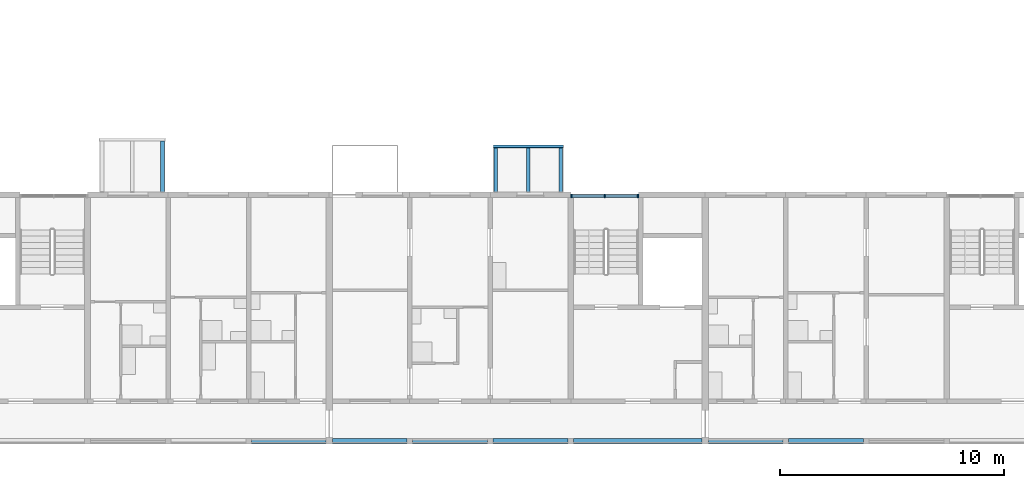
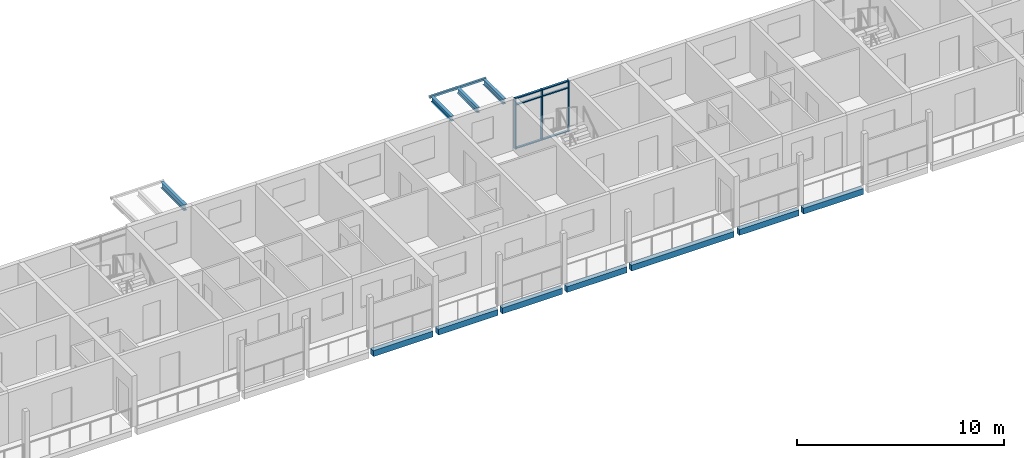
# One storey, part 16 of 87: 12 beams, 9 members, 1 element without a shape of its own.
"""IFC4 building model written with IfcOpenShell, lengths in metres."""

from ifc_helpers import new_model, si_unit, direction, frame, origin, origin_2d, place, context, subcontext, project, spatial, rectangle, hollow_rectangle, i_section, extrude, material, material_profile, profile_set, type_object, element, aggregate, save


model = new_model("IFC4")

# Units and contexts
model_context = context("Model", 3, precision=1e-05, world=origin(), true_north=direction((0.0, 1.0)))
body_context = subcontext(model_context, "Body", "Model", "MODEL_VIEW")
ifc_project = project(units=[si_unit("LENGTHUNIT", "METRE"), si_unit("AREAUNIT", "SQUARE_METRE"), si_unit("VOLUMEUNIT", "CUBIC_METRE"), si_unit("PLANEANGLEUNIT", "RADIAN"), si_unit("MASSUNIT", "GRAM", prefix="KILO")], contexts=[model_context])

# Site, building, storey
site_placement = place(None, origin())
site = spatial("IfcSite", under=ifc_project, at=site_placement, CompositionType="ELEMENT")
building_placement = place(site_placement, origin())
building = spatial("IfcBuilding", under=site, at=building_placement, Name="Ridgestep Commons", CompositionType="ELEMENT")
storey_placement = place(building_placement, frame((0.0, 0.0, 27.0)))
storey = spatial("IfcBuildingStorey", under=building, at=storey_placement, Name="L09", CompositionType="ELEMENT", Elevation=27.0)

# Beams
ifc_material_1 = material(Name="Precast concrete C40/50", Category="concrete")
ifc_material_profile_1 = material_profile(ifc_material_1, rectangle(XDim=0.25, YDim=0.35009765625, at=origin_2d()), Name="PC 250x350")
ifc_profile_set_1 = profile_set([ifc_material_profile_1], Name="Precast concrete C40/50")
beam_type_1 = type_object("IfcBeamType", Name="Loggia edge beam 250 x 350", PredefinedType="SPANDREL", material=ifc_profile_set_1)
for number, where, z_axis, x_axis, name in (
    (1, (176.925048828125, 11.875, -0.375), (1.0, 0.0, 0.0), (0.0, 1.0, 0.0), "Loggia edge beam D2T1 L09"),
    (2, (180.550048828125, 11.875, -0.375), (1.0, 0.0, 0.0), (0.0, 1.0, 0.0), "Loggia edge beam D3T1 L09"),
):
    element("IfcBeam", number, at=place(storey_placement, frame(where, z_axis=z_axis, x_axis=x_axis)), inside=storey, type_object=beam_type_1, Name=name, PredefinedType="SPANDREL", context=body_context, shape_type="SweptSolid", body=[
        extrude(rectangle(XDim=0.25, YDim=0.35009765625, at=origin_2d()), origin(), (0.0, 0.0, 1.0), 3.324951171875),
    ])
beam_1_placement = place(storey_placement, frame((184.125, 11.875, -0.375), z_axis=(1.0, 0.0, 0.0), x_axis=(0.0, 1.0, 0.0)))
element("IfcBeam", 3, at=beam_1_placement, inside=storey, type_object=beam_type_1, Name="Loggia edge beam D3T2 L09", PredefinedType="SPANDREL", context=body_context, shape_type="SweptSolid", body=[
    extrude(rectangle(XDim=0.25, YDim=0.35009765625, at=origin_2d()), origin(), (0.0, 0.0, 1.0), 3.35009765625),
])
beam_2_placement = place(storey_placement, frame((187.72509765625, 11.875, -0.375), z_axis=(1.0, 0.0, 0.0), x_axis=(0.0, 1.0, 0.0)))
element("IfcBeam", 4, at=beam_2_placement, inside=storey, type_object=beam_type_1, Name="Loggia edge beam D3T3 L09", PredefinedType="SPANDREL", context=body_context, shape_type="SweptSolid", body=[
    extrude(rectangle(XDim=0.25, YDim=0.35009765625, at=origin_2d()), origin(), (0.0, 0.0, 1.0), 3.349853515625),
])
beam_3_placement = place(storey_placement, frame((191.324951171875, 11.875, -0.375), z_axis=(1.0, 0.0, 0.0), x_axis=(0.0, 1.0, 0.0)))
element("IfcBeam", 5, at=beam_3_placement, inside=storey, type_object=beam_type_1, Name="Loggia edge beam D3C L09", PredefinedType="SPANDREL", context=body_context, shape_type="SweptSolid", body=[
    extrude(rectangle(XDim=0.25, YDim=0.35009765625, at=origin_2d()), origin(), (0.0, 0.0, 1.0), 5.72509765625),
])
beam_4_placement = place(storey_placement, frame((197.35009765625, 11.875, -0.375), z_axis=(1.0, 0.0, 0.0), x_axis=(0.0, 1.0, 0.0)))
element("IfcBeam", 6, at=beam_4_placement, inside=storey, type_object=beam_type_1, Name="Loggia edge beam D4T1 L09", PredefinedType="SPANDREL", context=body_context, shape_type="SweptSolid", body=[
    extrude(rectangle(XDim=0.25, YDim=0.35009765625, at=origin_2d()), origin(), (0.0, 0.0, 1.0), 3.324951171875),
])
beam_5_placement = place(storey_placement, frame((200.925048828125, 11.875, -0.375), z_axis=(1.0, 0.0, 0.0), x_axis=(0.0, 1.0, 0.0)))
element("IfcBeam", 7, at=beam_5_placement, inside=storey, type_object=beam_type_1, Name="Loggia edge beam D4T2 L09", PredefinedType="SPANDREL", context=body_context, shape_type="SweptSolid", body=[
    extrude(rectangle(XDim=0.25, YDim=0.35009765625, at=origin_2d()), origin(), (0.0, 0.0, 1.0), 3.349853515625),
])

# Curtain wall, members
ifc_material_2 = material(Name="Aluminium 6063-T6 and glass", Category="aluminium")
curtain_wall_type = type_object("IfcCurtainWallType", Name="Curtain wall stair strip", PredefinedType="NOTDEFINED", material=ifc_material_2)
curtain_wall_placement = place(storey_placement, origin())
curtain_wall = element("IfcCurtainWall", 8, at=curtain_wall_placement, inside=storey, type_object=curtain_wall_type, Name="Curtain wall D3C level 09", PredefinedType="NOTDEFINED")
ifc_material_3 = material(Name="Aluminium 6063-T6", Category="aluminium")
ifc_material_profile_2 = material_profile(ifc_material_3, rectangle(XDim=0.159912109375, YDim=0.06005859375, at=origin_2d()), Name="Mullion 60 x 160")
ifc_profile_set_2 = profile_set([ifc_material_profile_2], Name="Aluminium 6063-T6")
member_type_1 = type_object("IfcMemberType", Name="Mullion 60 x 160", PredefinedType="MULLION", material=ifc_profile_set_2)
member_1_placement = place(storey_placement, frame((191.22998046875, 22.830078125, 0.0), z_axis=(0.0, 0.0, 1.0), x_axis=(0.0, 1.0, 0.0)))
member_1 = element("IfcMember", 9, at=member_1_placement, type_object=member_type_1, Name="CW1 mullion 1", PredefinedType="MULLION", context=body_context, shape_type="SweptSolid", body=[
    extrude(rectangle(XDim=0.159912109375, YDim=0.06005859375, at=origin_2d()), origin(), (0.0, 0.0, 1.0), 3.0),
])
member_2_placement = place(storey_placement, frame((192.71240234375, 22.830078125, 0.0), z_axis=(0.0, 0.0, 1.0), x_axis=(0.0, 1.0, 0.0)))
member_2 = element("IfcMember", 10, at=member_2_placement, type_object=member_type_1, Name="CW1 mullion 2", PredefinedType="MULLION", context=body_context, shape_type="SweptSolid", body=[
    extrude(rectangle(XDim=0.159912109375, YDim=0.06005859375, at=origin_2d()), origin(), (0.0, 0.0, 1.0), 3.0),
])
member_3_placement = place(storey_placement, frame((194.195068359375, 22.830078125, 0.0), z_axis=(0.0, 0.0, 1.0), x_axis=(0.0, 1.0, 0.0)))
member_3 = element("IfcMember", 11, at=member_3_placement, type_object=member_type_1, Name="CW1 mullion 3", PredefinedType="MULLION", context=body_context, shape_type="SweptSolid", body=[
    extrude(rectangle(XDim=0.159912109375, YDim=0.06005859375, at=origin_2d()), origin(), (0.0, 0.0, 1.0), 3.0),
])
ifc_material_4 = material(Name="Aluminium 6063-T6", Category="aluminium")
ifc_material_profile_3 = material_profile(ifc_material_4, rectangle(XDim=0.1201171875, YDim=0.06005859375, at=origin_2d()), Name="Transom 60 x 120")
ifc_profile_set_3 = profile_set([ifc_material_profile_3], Name="Aluminium 6063-T6")
member_type_2 = type_object("IfcMemberType", Name="Transom 60 x 120", PredefinedType="USERDEFINED", material=ifc_profile_set_3)
member_4_placement = place(storey_placement, frame((191.260009765625, 22.830078125, 0.030029296875), z_axis=(1.0, 0.0, 0.0), x_axis=(0.0, 1.0, 0.0)))
member_4 = element("IfcMember", 12, at=member_4_placement, type_object=member_type_2, Name="CW1 transom 1.1", ObjectType="TRANSOM", PredefinedType="USERDEFINED", context=body_context, shape_type="SweptSolid", body=[
    extrude(rectangle(XDim=0.1201171875, YDim=0.06005859375, at=origin_2d()), origin(), (0.0, 0.0, 1.0), 1.422607421875),
])
member_5_placement = place(storey_placement, frame((191.260009765625, 22.830078125, 2.590087890625), z_axis=(1.0, 0.0, 0.0), x_axis=(0.0, 1.0, 0.0)))
member_5 = element("IfcMember", 13, at=member_5_placement, type_object=member_type_2, Name="CW1 transom 1.2", ObjectType="TRANSOM", PredefinedType="USERDEFINED", context=body_context, shape_type="SweptSolid", body=[
    extrude(rectangle(XDim=0.1201171875, YDim=0.06005859375, at=origin_2d()), origin(), (0.0, 0.0, 1.0), 1.422607421875),
])
member_6_placement = place(storey_placement, frame((191.260009765625, 22.830078125, 2.969970703125), z_axis=(1.0, 0.0, 0.0), x_axis=(0.0, 1.0, 0.0)))
member_6 = element("IfcMember", 14, at=member_6_placement, type_object=member_type_2, Name="CW1 transom 1.3", ObjectType="TRANSOM", PredefinedType="USERDEFINED", context=body_context, shape_type="SweptSolid", body=[
    extrude(rectangle(XDim=0.1201171875, YDim=0.06005859375, at=origin_2d()), origin(), (0.0, 0.0, 1.0), 1.422607421875),
])
member_7_placement = place(storey_placement, frame((192.742431640625, 22.830078125, 0.030029296875), z_axis=(1.0, 0.0, 0.0), x_axis=(0.0, 1.0, 0.0)))
member_7 = element("IfcMember", 15, at=member_7_placement, type_object=member_type_2, Name="CW1 transom 2.1", ObjectType="TRANSOM", PredefinedType="USERDEFINED", context=body_context, shape_type="SweptSolid", body=[
    extrude(rectangle(XDim=0.1201171875, YDim=0.06005859375, at=origin_2d()), origin(), (0.0, 0.0, 1.0), 1.422607421875),
])
member_8_placement = place(storey_placement, frame((192.742431640625, 22.830078125, 2.590087890625), z_axis=(1.0, 0.0, 0.0), x_axis=(0.0, 1.0, 0.0)))
member_8 = element("IfcMember", 16, at=member_8_placement, type_object=member_type_2, Name="CW1 transom 2.2", ObjectType="TRANSOM", PredefinedType="USERDEFINED", context=body_context, shape_type="SweptSolid", body=[
    extrude(rectangle(XDim=0.1201171875, YDim=0.06005859375, at=origin_2d()), origin(), (0.0, 0.0, 1.0), 1.422607421875),
])
member_9_placement = place(storey_placement, frame((192.742431640625, 22.830078125, 2.969970703125), z_axis=(1.0, 0.0, 0.0), x_axis=(0.0, 1.0, 0.0)))
member_9 = element("IfcMember", 17, at=member_9_placement, type_object=member_type_2, Name="CW1 transom 2.3", ObjectType="TRANSOM", PredefinedType="USERDEFINED", context=body_context, shape_type="SweptSolid", body=[
    extrude(rectangle(XDim=0.1201171875, YDim=0.06005859375, at=origin_2d()), origin(), (0.0, 0.0, 1.0), 1.422607421875),
])
aggregate(curtain_wall, [member_1, member_2, member_3, member_4, member_5, member_6, member_7, member_8, member_9])

# Beams
ifc_material_5 = material(Name="Weathering steel S355J2W", Category="steel")
ifc_material_profile_4 = material_profile(ifc_material_5, i_section(OverallWidth=0.1650390625, OverallDepth=0.303466796875, WebThickness=0.006103515625, FlangeThickness=0.01025390625, FilletRadius=0.0087890625, at=origin_2d()), Name="UB 305x165x40")
ifc_profile_set_4 = profile_set([ifc_material_profile_4], Name="Weathering steel S355J2W")
beam_type_2 = type_object("IfcBeamType", Name="Tray arm UB 305x165x40", PredefinedType="BEAM", material=ifc_profile_set_4)
for number, where, z_axis, x_axis, name in (
    (18, (187.85009765625, 23.014892578125, 2.83837890625), (0.0, 1.0, 0.0), (-1.0, 0.0, 0.0), "Tray arm D3T3-10.1"),
    (19, (189.300048828125, 23.014892578125, 2.83837890625), (0.0, 1.0, 0.0), (-1.0, 0.0, 0.0), "Tray arm D3T3-10.2"),
    (20, (190.75, 23.014892578125, 2.83837890625), (0.0, 1.0, 0.0), (-1.0, 0.0, 0.0), "Tray arm D3T3-10.3"),
):
    element("IfcBeam", number, at=place(storey_placement, frame(where, z_axis=z_axis, x_axis=x_axis)), inside=storey, type_object=beam_type_2, Name=name, PredefinedType="BEAM", context=body_context, shape_type="SweptSolid", body=[
        extrude(i_section(OverallWidth=0.1650390625, OverallDepth=0.303466796875, WebThickness=0.006103515625, FlangeThickness=0.01025390625, FilletRadius=0.0087890625, at=origin_2d()), origin(), (0.0, 0.0, 1.0), 1.965087890625),
    ])
ifc_material_6 = material(Name="Weathering steel S355J2W", Category="steel")
ifc_material_profile_5 = material_profile(ifc_material_6, i_section(OverallWidth=0.171142578125, OverallDepth=0.351318359375, WebThickness=0.007080078125, FlangeThickness=0.009765625, FilletRadius=0.01025390625, at=origin_2d()), Name="UB 356x171x45")
ifc_profile_set_5 = profile_set([ifc_material_profile_5], Name="Weathering steel S355J2W")
beam_type_3 = type_object("IfcBeamType", Name="Tray arm UB 356x171x45", PredefinedType="BEAM", material=ifc_profile_set_5)
beam_6_placement = place(storey_placement, frame((172.949951171875, 23.014892578125, 2.814208984375), z_axis=(0.0, 1.0, 0.0), x_axis=(-1.0, 0.0, 0.0)))
element("IfcBeam", 21, at=beam_6_placement, inside=storey, type_object=beam_type_3, Name="Tray arm D2T3-10.3", PredefinedType="BEAM", context=body_context, shape_type="SweptSolid", body=[
    extrude(i_section(OverallWidth=0.171142578125, OverallDepth=0.351318359375, WebThickness=0.007080078125, FlangeThickness=0.009765625, FilletRadius=0.01025390625, at=origin_2d()), origin(), (0.0, 0.0, 1.0), 2.26513671875),
])
ifc_material_7 = material(Name="Weathering steel S355J2W", Category="steel")
ifc_material_profile_6 = material_profile(ifc_material_7, hollow_rectangle(XDim=0.1201171875, YDim=0.1201171875, WallThickness=0.00634765625, InnerFilletRadius=0.00634765625, OuterFilletRadius=0.009521484375, at=origin_2d()), Name="SHS 120x120x6.3")
ifc_profile_set_6 = profile_set([ifc_material_profile_6], Name="Weathering steel S355J2W")
beam_type_4 = type_object("IfcBeamType", Name="Tray edge member SHS 120x120x6.3", PredefinedType="BEAM", material=ifc_profile_set_6)
beam_7_placement = place(storey_placement, frame((187.72998046875, 25.0400390625, 2.929931640625), z_axis=(1.0, 0.0, 0.0), x_axis=(0.0, 0.0, 1.0)))
element("IfcBeam", 22, at=beam_7_placement, inside=storey, type_object=beam_type_4, Name="Tray edge member D3T3-10", PredefinedType="BEAM", context=body_context, shape_type="SweptSolid", body=[
    extrude(hollow_rectangle(XDim=0.1201171875, YDim=0.1201171875, WallThickness=0.00634765625, InnerFilletRadius=0.00634765625, OuterFilletRadius=0.009521484375, at=origin_2d()), origin(), (0.0, 0.0, 1.0), 3.14013671875),
])

save(model, "model.ifc")
